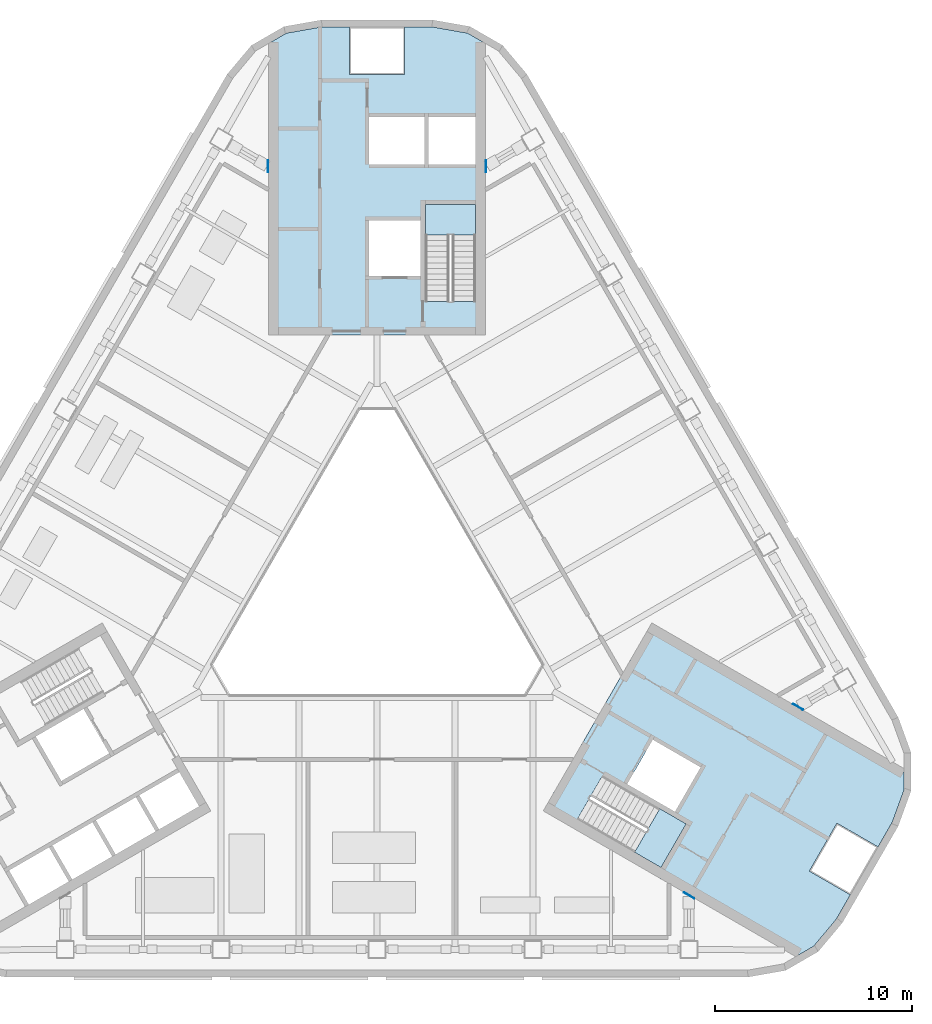
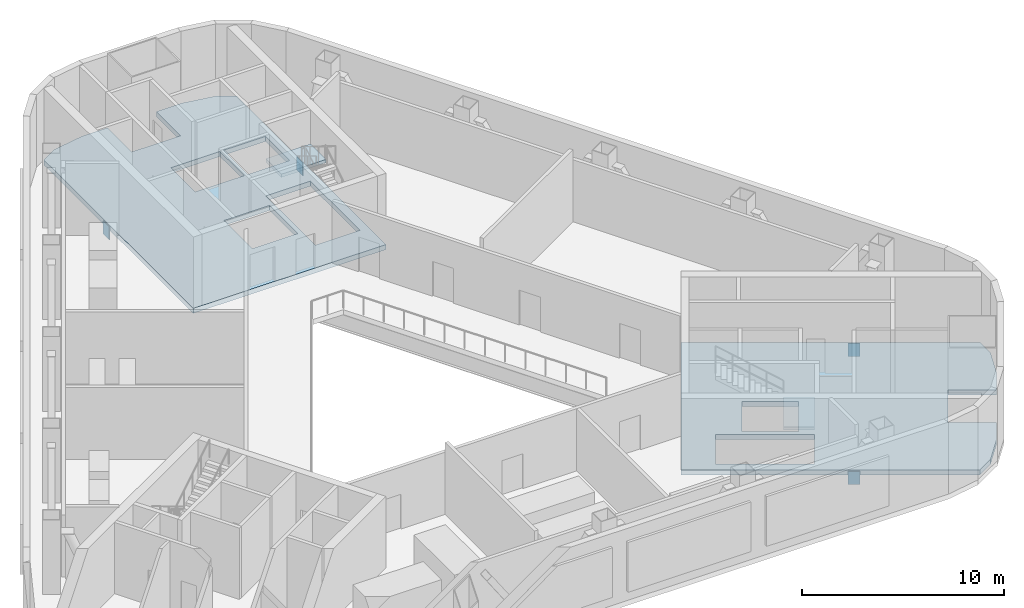
# One storey, part 5 of 14: 4 plates, 4 slabs, 2 elements without a shape of their own.
"""IFC4 building model written with IfcOpenShell, lengths in metres."""

from ifc_helpers import new_model, si_unit, direction, frame, origin, origin_2d, place, context, subcontext, project, spatial, polyline, rectangle, outline, extrude, material, layer, layer_set, type_object, element, aggregate, save


model = new_model("IFC4")

# Units and contexts
model_context = context("Model", 3, precision=1e-05, world=origin(), true_north=direction((0.0, 1.0)))
body_context = subcontext(model_context, "Body", "Model", "MODEL_VIEW")
ifc_project = project(units=[si_unit("LENGTHUNIT", "METRE"), si_unit("AREAUNIT", "SQUARE_METRE"), si_unit("VOLUMEUNIT", "CUBIC_METRE"), si_unit("PLANEANGLEUNIT", "RADIAN"), si_unit("MASSUNIT", "GRAM", prefix="KILO")], contexts=[model_context])

# Site, building, storey
site_placement = place(None, origin())
site = spatial("IfcSite", under=ifc_project, at=site_placement, CompositionType="ELEMENT")
building_placement = place(site_placement, origin())
building = spatial("IfcBuilding", under=site, at=building_placement, Name="Apuvela Tower Hotel", CompositionType="ELEMENT")
storey_placement = place(building_placement, frame((0.0, 0.0, 142.10009765625)))
storey = spatial("IfcBuildingStorey", under=building, at=storey_placement, Name="L33 Plant", CompositionType="ELEMENT", Elevation=142.10009765625)

# Slabs
ifc_material_1 = material(Name="Concrete C50/60", Category="concrete")
ifc_layer_1 = layer(ifc_material_1, 0.300048828125)
ifc_layer_set_1 = layer_set([ifc_layer_1], Name="COR-FLOOR-300")
slab_type_1 = type_object("IfcSlabType", Name="COR-FLOOR-300", PredefinedType="FLOOR", material=ifc_layer_set_1)
slab_1_placement = place(storey_placement, frame((0.0, 0.0, -0.300048828125)))
element("IfcSlab", 1, at=slab_1_placement, inside=storey, type_object=slab_type_1, Name="Core floor N", PredefinedType="FLOOR", context=body_context, shape_type="SweptSolid", body=[
    extrude(outline(polyline([(5.5, 27.668212890625), (4.588623046875, 28.1943359375), (2.85498046875, 28.5), (1.39990234375, 28.5), (1.39990234375, 26.10009765625), (-1.39990234375, 26.10009765625), (-1.39990234375, 28.5), (-2.85498046875, 28.5), (-4.588623046875, 28.1943359375), (-5.5, 27.668212890625), (-5.5, 12.89990234375), (5.5, 12.89990234375), (5.5, 27.668212890625)]), holes=[polyline([(5.0, 14.60595703125), (2.449951171875, 14.60595703125), (2.449951171875, 19.5), (5.0, 19.5), (5.0, 14.60595703125)]), polyline([(2.199951171875, 15.89990234375), (-0.39990234375, 15.89990234375), (-0.39990234375, 18.699951171875), (2.199951171875, 18.699951171875), (2.199951171875, 15.89990234375)]), polyline([(5.0, 21.550048828125), (2.60009765625, 21.550048828125), (2.60009765625, 23.949951171875), (5.0, 23.949951171875), (5.0, 21.550048828125)]), polyline([(2.39990234375, 21.550048828125), (-0.39990234375, 21.550048828125), (-0.39990234375, 23.949951171875), (2.39990234375, 23.949951171875), (2.39990234375, 21.550048828125)])]), origin(), (0.0, 0.0, 1.0), 0.300048828125),
])
slab_2_placement = place(storey_placement, frame((0.0, 0.0, -0.300048828125)))
element("IfcSlab", 2, at=slab_2_placement, inside=storey, type_object=slab_type_1, Name="Core floor SE", PredefinedType="FLOOR", context=body_context, shape_type="SweptSolid", body=[
    extrude(outline(polyline([(21.211181640625, -18.59716796875), (22.122802734375, -18.071044921875), (23.254150390625, -16.72265625), (23.981689453125, -15.46240234375), (21.9033203125, -14.262451171875), (23.30322265625, -11.837646484375), (25.381591796875, -13.03759765625), (26.109375, -11.77734375), (26.711181640625, -10.123291015625), (26.711181640625, -9.07080078125), (13.921630859375, -1.68701171875), (8.421630859375, -11.213134765625), (21.211181640625, -18.59716796875)]), holes=[polyline([(11.42431640625, -9.4248046875), (15.66259765625, -11.871826171875), (14.387451171875, -14.080078125), (10.149169921875, -11.633056640625), (11.42431640625, -9.4248046875)]), polyline([(13.9697265625, -7.603515625), (16.394775390625, -9.003662109375), (15.0947265625, -11.25537109375), (12.669921875, -9.855224609375), (13.9697265625, -7.603515625)])]), origin(), (0.0, 0.0, 1.0), 0.300048828125),
])

# Stair, slab
stair_type = type_object("IfcStairType", Name="COR-STAIR-26R", PredefinedType="HALF_TURN_STAIR", material=ifc_material_1)
stair_1_placement = place(storey_placement, origin())
stair_1 = element("IfcStair", 3, at=stair_1_placement, inside=storey, type_object=stair_type, Name="L33 Plant Exit stair ST1", PredefinedType="HALF_TURN_STAIR")
ifc_layer_2 = layer(ifc_material_1, 0.199951171875)
ifc_layer_set_2 = layer_set([ifc_layer_2], Name="COR-LANDING-200")
slab_type_2 = type_object("IfcSlabType", Name="COR-LANDING-200", PredefinedType="LANDING", material=ifc_layer_set_2)
slab_3_placement = place(storey_placement, frame((0.0, 0.0, 2.0498046875)))
slab_3 = element("IfcSlab", 4, at=slab_3_placement, type_object=slab_type_2, Name="ST1 landing 1", PredefinedType="LANDING", context=body_context, shape_type="SweptSolid", body=[
    extrude(outline(polyline([(5.0, 17.9541015625), (5.0, 19.5), (2.449951171875, 19.5), (2.449951171875, 17.9541015625), (5.0, 17.9541015625)])), origin(), (0.0, 0.0, 1.0), 0.2001953125),
])
aggregate(stair_1, [slab_3])

stair_2_placement = place(storey_placement, origin())
stair_2 = element("IfcStair", 5, at=stair_2_placement, inside=storey, type_object=stair_type, Name="L33 Plant Exit stair ST3", PredefinedType="HALF_TURN_STAIR")
slab_4_placement = place(storey_placement, frame((0.0, 0.0, 2.0498046875)))
slab_4 = element("IfcSlab", 6, at=slab_4_placement, type_object=slab_type_2, Name="ST3 landing 1", PredefinedType="LANDING", context=body_context, shape_type="SweptSolid", body=[
    extrude(outline(polyline([(13.048583984375, -13.30712890625), (14.387451171875, -14.080078125), (15.66259765625, -11.871826171875), (14.32373046875, -11.098876953125), (13.048583984375, -13.30712890625)])), origin(), (0.0, 0.0, 1.0), 0.2001953125),
])
aggregate(stair_2, [slab_4])

# Plates
ifc_material_2 = material(Name="Steel S355", Category="steel")
ifc_layer_3 = layer(ifc_material_2, 0.0400390625)
ifc_layer_set_3 = layer_set([ifc_layer_3], Name="STR-CP 40 Steel S355")
plate_type = type_object("IfcPlateType", Name="STR-CP 40 Steel S355", PredefinedType="SHEET", material=ifc_layer_set_3)
for number, where, z_axis, x_axis, name in (
    (7, (21.330078125, -5.94091796875, -0.865234375), (0.0, 0.0, 1.0), (-0.5, -0.866025403784, 0.0), "Cast-in plate CP-T1-79 40"),
    (8, (5.52001953125, 21.44287109375, -0.865234375), (0.0, 0.0, 1.0), (-1.0, 0.0, 0.0), "Cast-in plate CP-T1-80 40"),
    (9, (-5.52001953125, 21.44287109375, -0.865234375), (0.0, 0.0, 1.0), (1.0, 0.0, 0.0), "Cast-in plate CP-T1-81 40"),
    (10, (15.81005859375, -15.501953125, -0.865234375), (0.0, 0.0, 1.0), (0.5, 0.866025403784, 0.0), "Cast-in plate CP-T1-84 40"),
):
    element("IfcPlate", number, at=place(storey_placement, frame(where, z_axis=z_axis, x_axis=x_axis)), inside=storey, type_object=plate_type, Name=name, PredefinedType="SHEET", context=body_context, shape_type="SweptSolid", body=[
        extrude(rectangle(XDim=0.0400390625, YDim=0.60009765625, at=origin_2d()), origin(), (0.0, 0.0, 1.0), 0.800048828125),
    ])

save(model, "model.ifc")
